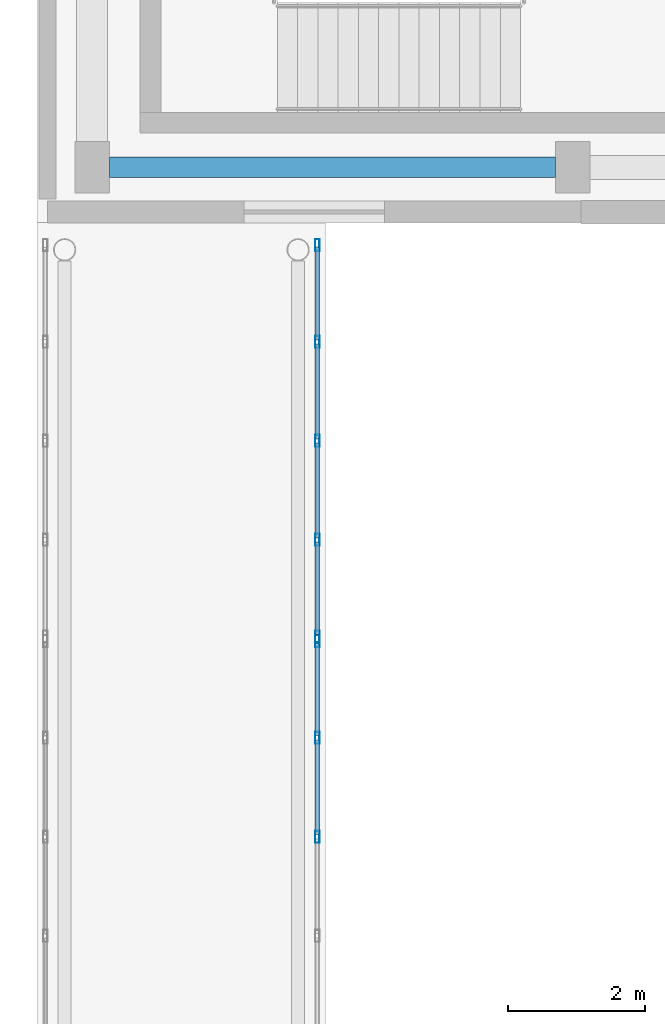
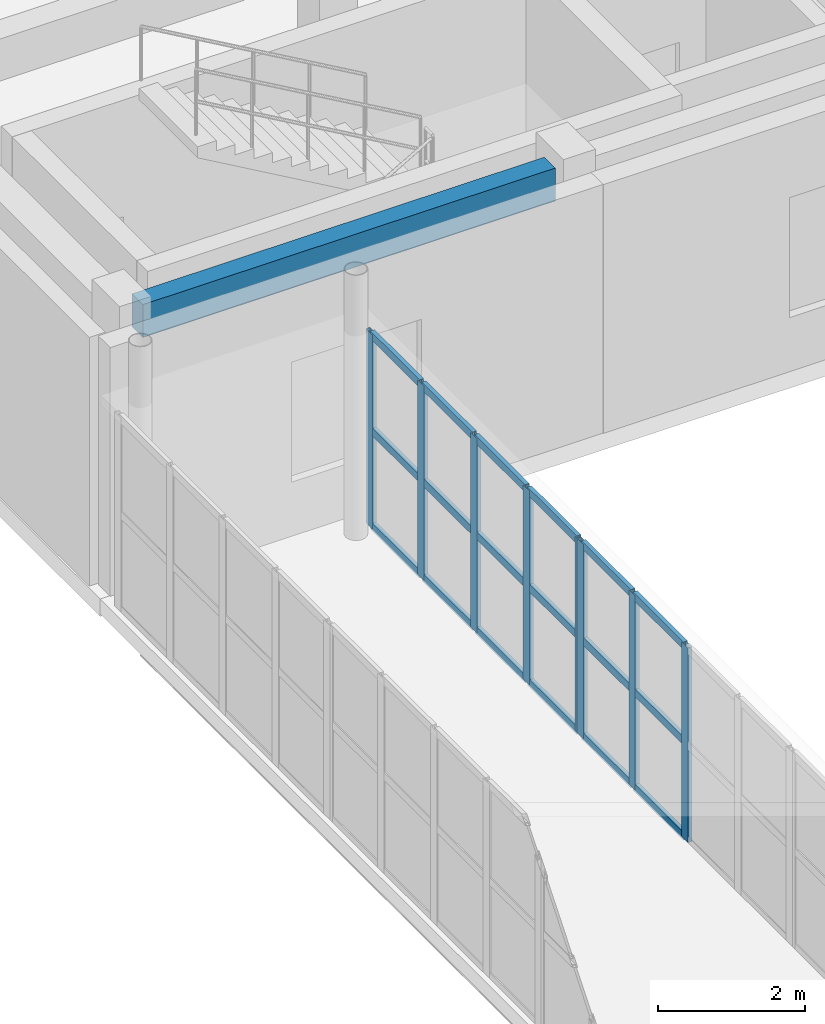
# One storey, part 66 of 142: 26 members, 1 beam, 2 elements without a shape of their own.
"""IFC4 building model written with IfcOpenShell, lengths in metres."""

from ifc_helpers import new_model, si_unit, direction, frame, origin, origin_2d, place, context, subcontext, project, spatial, rectangle, hollow_rectangle, extrude, material, layer, layer_set, material_profile, profile_set, type_object, element, aggregate, save


model = new_model("IFC4")

# Units and contexts
model_context = context("Model", 3, precision=1e-05, world=origin(), true_north=direction((0.0, 1.0)))
body_context = subcontext(model_context, "Body", "Model", "MODEL_VIEW")
ifc_project = project(units=[si_unit("LENGTHUNIT", "METRE"), si_unit("AREAUNIT", "SQUARE_METRE"), si_unit("VOLUMEUNIT", "CUBIC_METRE"), si_unit("PLANEANGLEUNIT", "RADIAN"), si_unit("MASSUNIT", "GRAM", prefix="KILO")], contexts=[model_context])

# Site, building, storey
site_placement = place(None, origin())
site = spatial("IfcSite", under=ifc_project, at=site_placement, CompositionType="ELEMENT")
building_placement = place(site_placement, origin())
building = spatial("IfcBuilding", under=site, at=building_placement, Name="Valcora Specialist Clinic", CompositionType="ELEMENT")
storey_placement = place(building_placement, frame((0.0, 0.0, 5.10009765625)))
storey = spatial("IfcBuildingStorey", under=building, at=storey_placement, Name="L01", CompositionType="ELEMENT", Elevation=5.10009765625)

# Beam
ifc_material_1 = material(Name="Concrete C40/50", Category="concrete")
ifc_material_profile_1 = material_profile(ifc_material_1, rectangle(XDim=0.300048828125, YDim=0.550048828125, at=origin_2d()), Name="RC-BM-300X550")
ifc_profile_set_1 = profile_set([ifc_material_profile_1], Name="Concrete C40/50")
beam_type = type_object("IfcBeamType", Name="TY-BM-RC300X550", PredefinedType="BEAM", material=ifc_profile_set_1)
beam_placement = place(storey_placement, frame((62.25, 74.800048828125, 3.869873046875), z_axis=(1.0, 0.0, 0.0), x_axis=(0.0, 1.0, 0.0)))
element("IfcBeam", 1, at=beam_placement, inside=storey, type_object=beam_type, Name="Beam BM-L01-0613", PredefinedType="BEAM", context=body_context, shape_type="SweptSolid", body=[
    extrude(rectangle(XDim=0.300048828125, YDim=0.550048828125, at=origin_2d()), origin(), (0.0, 0.0, 1.0), 6.5),
])

# Curtain wall, members
ifc_material_2 = material(Name="Anodized Bronze Aluminium 6063-T6", Category="aluminium")
ifc_layer = layer(ifc_material_2, 0.175048828125)
ifc_layer_set = layer_set([ifc_layer], Name="Anodized Bronze Aluminium 6063-T6")
curtain_wall_type = type_object("IfcCurtainWallType", Name="TY-CW-BRG14", PredefinedType="NOTDEFINED", material=ifc_layer_set)
curtain_wall_1_placement = place(storey_placement, origin())
curtain_wall_1 = element("IfcCurtainWall", 2, at=curtain_wall_1_placement, inside=storey, type_object=curtain_wall_type, Name="Curtain wall CW-L01-247", PredefinedType="NOTDEFINED")
ifc_material_profile_2 = material_profile(ifc_material_2, hollow_rectangle(XDim=0.06494140625, YDim=0.175048828125, WallThickness=0.00390625, at=origin_2d()), Name="AL-MUL-65X175")
ifc_profile_set_2 = profile_set([ifc_material_profile_2], Name="Anodized Bronze Aluminium 6063-T6")
member_type_1 = type_object("IfcMemberType", Name="TY-CWM-65X175", PredefinedType="MULLION", material=ifc_profile_set_2)
member_1_placement = place(storey_placement, frame((65.280029296875, 65.050048828125, 0.0), z_axis=(0.0, 0.0, 1.0), x_axis=(-1.0, 0.0, 0.0)))
member_1 = element("IfcMember", 3, at=member_1_placement, type_object=member_type_1, Name="CW-BRG-14 mullion 3", PredefinedType="MULLION", context=body_context, shape_type="SweptSolid", body=[
    extrude(hollow_rectangle(XDim=0.06494140625, YDim=0.175048828125, WallThickness=0.00390625, at=origin_2d()), origin(), (0.0, 0.0, 1.0), 3.239990234375),
])
member_2_placement = place(storey_placement, frame((65.280029296875, 66.49169921875, 0.0), z_axis=(0.0, 0.0, 1.0), x_axis=(-1.0, 0.0, 0.0)))
member_2 = element("IfcMember", 4, at=member_2_placement, type_object=member_type_1, Name="CW-BRG-14 mullion 4", PredefinedType="MULLION", context=body_context, shape_type="SweptSolid", body=[
    extrude(hollow_rectangle(XDim=0.06494140625, YDim=0.175048828125, WallThickness=0.00390625, at=origin_2d()), origin(), (0.0, 0.0, 1.0), 3.239990234375),
])
member_3_placement = place(storey_placement, frame((65.280029296875, 67.90087890625, 0.0), z_axis=(0.0, 0.0, 1.0), x_axis=(-1.0, 0.0, 0.0)))
member_3 = element("IfcMember", 5, at=member_3_placement, type_object=member_type_1, Name="CW-BRG-14 mullion 5", PredefinedType="MULLION", context=body_context, shape_type="SweptSolid", body=[
    extrude(hollow_rectangle(XDim=0.06494140625, YDim=0.175048828125, WallThickness=0.00390625, at=origin_2d()), origin(), (0.0, 0.0, 1.0), 3.239990234375),
])

curtain_wall_2_placement = place(storey_placement, origin())
curtain_wall_2 = element("IfcCurtainWall", 6, at=curtain_wall_2_placement, inside=storey, type_object=curtain_wall_type, Name="Curtain wall CW-L01-248", PredefinedType="NOTDEFINED")
member_4_placement = place(storey_placement, frame((65.280029296875, 67.9658203125, 0.0), z_axis=(0.0, 0.0, 1.0), x_axis=(-1.0, 0.0, 0.0)))
member_4 = element("IfcMember", 7, at=member_4_placement, type_object=member_type_1, Name="CW-BRG-14 mullion 1", PredefinedType="MULLION", context=body_context, shape_type="SweptSolid", body=[
    extrude(hollow_rectangle(XDim=0.06494140625, YDim=0.175048828125, WallThickness=0.00390625, at=origin_2d()), origin(), (0.0, 0.0, 1.0), 3.239990234375),
])
member_5_placement = place(storey_placement, frame((65.280029296875, 69.375, 0.0), z_axis=(0.0, 0.0, 1.0), x_axis=(-1.0, 0.0, 0.0)))
member_5 = element("IfcMember", 8, at=member_5_placement, type_object=member_type_1, Name="CW-BRG-14 mullion 2", PredefinedType="MULLION", context=body_context, shape_type="SweptSolid", body=[
    extrude(hollow_rectangle(XDim=0.06494140625, YDim=0.175048828125, WallThickness=0.00390625, at=origin_2d()), origin(), (0.0, 0.0, 1.0), 3.239990234375),
])
member_6_placement = place(storey_placement, frame((65.280029296875, 70.816650390625, 0.0), z_axis=(0.0, 0.0, 1.0), x_axis=(-1.0, 0.0, 0.0)))
member_6 = element("IfcMember", 9, at=member_6_placement, type_object=member_type_1, Name="CW-BRG-14 mullion 3", PredefinedType="MULLION", context=body_context, shape_type="SweptSolid", body=[
    extrude(hollow_rectangle(XDim=0.06494140625, YDim=0.175048828125, WallThickness=0.00390625, at=origin_2d()), origin(), (0.0, 0.0, 1.0), 3.239990234375),
])
member_7_placement = place(storey_placement, frame((65.280029296875, 72.25830078125, 0.0), z_axis=(0.0, 0.0, 1.0), x_axis=(-1.0, 0.0, 0.0)))
member_7 = element("IfcMember", 10, at=member_7_placement, type_object=member_type_1, Name="CW-BRG-14 mullion 4", PredefinedType="MULLION", context=body_context, shape_type="SweptSolid", body=[
    extrude(hollow_rectangle(XDim=0.06494140625, YDim=0.175048828125, WallThickness=0.00390625, at=origin_2d()), origin(), (0.0, 0.0, 1.0), 3.239990234375),
])
member_8_placement = place(storey_placement, frame((65.280029296875, 73.66748046875, 0.0), z_axis=(0.0, 0.0, 1.0), x_axis=(-1.0, 0.0, 0.0)))
member_8 = element("IfcMember", 11, at=member_8_placement, type_object=member_type_1, Name="CW-BRG-14 mullion 5", PredefinedType="MULLION", context=body_context, shape_type="SweptSolid", body=[
    extrude(hollow_rectangle(XDim=0.06494140625, YDim=0.175048828125, WallThickness=0.00390625, at=origin_2d()), origin(), (0.0, 0.0, 1.0), 3.239990234375),
])

# Member
ifc_material_profile_3 = material_profile(ifc_material_2, hollow_rectangle(XDim=0.06494140625, YDim=0.1298828125, WallThickness=0.00390625, at=origin_2d()), Name="AL-TRN-65X130")
ifc_profile_set_3 = profile_set([ifc_material_profile_3], Name="Anodized Bronze Aluminium 6063-T6")
member_type_2 = type_object("IfcMemberType", Name="TY-CWT-65X130", PredefinedType="USERDEFINED", material=ifc_profile_set_3)
member_9_placement = place(storey_placement, frame((65.280029296875, 65.08251953125, 0.032470703125), z_axis=(0.0, 1.0, 0.0), x_axis=(-1.0, 0.0, 0.0)))
member_9 = element("IfcMember", 12, at=member_9_placement, type_object=member_type_2, Name="CW-BRG-14 transom 3.1", ObjectType="TRANSOM", PredefinedType="USERDEFINED", context=body_context, shape_type="SweptSolid", body=[
    extrude(hollow_rectangle(XDim=0.06494140625, YDim=0.1298828125, WallThickness=0.00390625, at=origin_2d()), origin(), (0.0, 0.0, 1.0), 1.376708984375),
])

member_10_placement = place(storey_placement, frame((65.280029296875, 65.08251953125, 1.619873046875), z_axis=(0.0, 1.0, 0.0), x_axis=(-1.0, 0.0, 0.0)))
member_10 = element("IfcMember", 13, at=member_10_placement, type_object=member_type_2, Name="CW-BRG-14 transom 3.2", ObjectType="TRANSOM", PredefinedType="USERDEFINED", context=body_context, shape_type="SweptSolid", body=[
    extrude(hollow_rectangle(XDim=0.06494140625, YDim=0.1298828125, WallThickness=0.00390625, at=origin_2d()), origin(), (0.0, 0.0, 1.0), 1.376708984375),
])

member_11_placement = place(storey_placement, frame((65.280029296875, 65.08251953125, 3.20751953125), z_axis=(0.0, 1.0, 0.0), x_axis=(-1.0, 0.0, 0.0)))
member_11 = element("IfcMember", 14, at=member_11_placement, type_object=member_type_2, Name="CW-BRG-14 transom 3.3", ObjectType="TRANSOM", PredefinedType="USERDEFINED", context=body_context, shape_type="SweptSolid", body=[
    extrude(hollow_rectangle(XDim=0.06494140625, YDim=0.1298828125, WallThickness=0.00390625, at=origin_2d()), origin(), (0.0, 0.0, 1.0), 1.376708984375),
])

member_12_placement = place(storey_placement, frame((65.280029296875, 66.524169921875, 0.032470703125), z_axis=(0.0, 1.0, 0.0), x_axis=(-1.0, 0.0, 0.0)))
member_12 = element("IfcMember", 15, at=member_12_placement, type_object=member_type_2, Name="CW-BRG-14 transom 4.1", ObjectType="TRANSOM", PredefinedType="USERDEFINED", context=body_context, shape_type="SweptSolid", body=[
    extrude(hollow_rectangle(XDim=0.06494140625, YDim=0.1298828125, WallThickness=0.00390625, at=origin_2d()), origin(), (0.0, 0.0, 1.0), 1.34423828125),
])

member_13_placement = place(storey_placement, frame((65.280029296875, 66.524169921875, 1.619873046875), z_axis=(0.0, 1.0, 0.0), x_axis=(-1.0, 0.0, 0.0)))
member_13 = element("IfcMember", 16, at=member_13_placement, type_object=member_type_2, Name="CW-BRG-14 transom 4.2", ObjectType="TRANSOM", PredefinedType="USERDEFINED", context=body_context, shape_type="SweptSolid", body=[
    extrude(hollow_rectangle(XDim=0.06494140625, YDim=0.1298828125, WallThickness=0.00390625, at=origin_2d()), origin(), (0.0, 0.0, 1.0), 1.34423828125),
])

member_14_placement = place(storey_placement, frame((65.280029296875, 66.524169921875, 3.20751953125), z_axis=(0.0, 1.0, 0.0), x_axis=(-1.0, 0.0, 0.0)))
member_14 = element("IfcMember", 17, at=member_14_placement, type_object=member_type_2, Name="CW-BRG-14 transom 4.3", ObjectType="TRANSOM", PredefinedType="USERDEFINED", context=body_context, shape_type="SweptSolid", body=[
    extrude(hollow_rectangle(XDim=0.06494140625, YDim=0.1298828125, WallThickness=0.00390625, at=origin_2d()), origin(), (0.0, 0.0, 1.0), 1.34423828125),
])

aggregate(curtain_wall_1, [member_1, member_2, member_3, member_9, member_10, member_11, member_12, member_13, member_14])

member_15_placement = place(storey_placement, frame((65.280029296875, 67.998291015625, 0.032470703125), z_axis=(0.0, 1.0, 0.0), x_axis=(-1.0, 0.0, 0.0)))
member_15 = element("IfcMember", 18, at=member_15_placement, type_object=member_type_2, Name="CW-BRG-14 transom 1.1", ObjectType="TRANSOM", PredefinedType="USERDEFINED", context=body_context, shape_type="SweptSolid", body=[
    extrude(hollow_rectangle(XDim=0.06494140625, YDim=0.1298828125, WallThickness=0.00390625, at=origin_2d()), origin(), (0.0, 0.0, 1.0), 1.34423828125),
])

member_16_placement = place(storey_placement, frame((65.280029296875, 67.998291015625, 1.619873046875), z_axis=(0.0, 1.0, 0.0), x_axis=(-1.0, 0.0, 0.0)))
member_16 = element("IfcMember", 19, at=member_16_placement, type_object=member_type_2, Name="CW-BRG-14 transom 1.2", ObjectType="TRANSOM", PredefinedType="USERDEFINED", context=body_context, shape_type="SweptSolid", body=[
    extrude(hollow_rectangle(XDim=0.06494140625, YDim=0.1298828125, WallThickness=0.00390625, at=origin_2d()), origin(), (0.0, 0.0, 1.0), 1.34423828125),
])

member_17_placement = place(storey_placement, frame((65.280029296875, 67.998291015625, 3.20751953125), z_axis=(0.0, 1.0, 0.0), x_axis=(-1.0, 0.0, 0.0)))
member_17 = element("IfcMember", 20, at=member_17_placement, type_object=member_type_2, Name="CW-BRG-14 transom 1.3", ObjectType="TRANSOM", PredefinedType="USERDEFINED", context=body_context, shape_type="SweptSolid", body=[
    extrude(hollow_rectangle(XDim=0.06494140625, YDim=0.1298828125, WallThickness=0.00390625, at=origin_2d()), origin(), (0.0, 0.0, 1.0), 1.34423828125),
])

member_18_placement = place(storey_placement, frame((65.280029296875, 69.407470703125, 0.032470703125), z_axis=(0.0, 1.0, 0.0), x_axis=(-1.0, 0.0, 0.0)))
member_18 = element("IfcMember", 21, at=member_18_placement, type_object=member_type_2, Name="CW-BRG-14 transom 2.1", ObjectType="TRANSOM", PredefinedType="USERDEFINED", context=body_context, shape_type="SweptSolid", body=[
    extrude(hollow_rectangle(XDim=0.06494140625, YDim=0.1298828125, WallThickness=0.00390625, at=origin_2d()), origin(), (0.0, 0.0, 1.0), 1.376708984375),
])

member_19_placement = place(storey_placement, frame((65.280029296875, 69.407470703125, 1.619873046875), z_axis=(0.0, 1.0, 0.0), x_axis=(-1.0, 0.0, 0.0)))
member_19 = element("IfcMember", 22, at=member_19_placement, type_object=member_type_2, Name="CW-BRG-14 transom 2.2", ObjectType="TRANSOM", PredefinedType="USERDEFINED", context=body_context, shape_type="SweptSolid", body=[
    extrude(hollow_rectangle(XDim=0.06494140625, YDim=0.1298828125, WallThickness=0.00390625, at=origin_2d()), origin(), (0.0, 0.0, 1.0), 1.376708984375),
])

member_20_placement = place(storey_placement, frame((65.280029296875, 69.407470703125, 3.20751953125), z_axis=(0.0, 1.0, 0.0), x_axis=(-1.0, 0.0, 0.0)))
member_20 = element("IfcMember", 23, at=member_20_placement, type_object=member_type_2, Name="CW-BRG-14 transom 2.3", ObjectType="TRANSOM", PredefinedType="USERDEFINED", context=body_context, shape_type="SweptSolid", body=[
    extrude(hollow_rectangle(XDim=0.06494140625, YDim=0.1298828125, WallThickness=0.00390625, at=origin_2d()), origin(), (0.0, 0.0, 1.0), 1.376708984375),
])

member_21_placement = place(storey_placement, frame((65.280029296875, 70.84912109375, 0.032470703125), z_axis=(0.0, 1.0, 0.0), x_axis=(-1.0, 0.0, 0.0)))
member_21 = element("IfcMember", 24, at=member_21_placement, type_object=member_type_2, Name="CW-BRG-14 transom 3.1", ObjectType="TRANSOM", PredefinedType="USERDEFINED", context=body_context, shape_type="SweptSolid", body=[
    extrude(hollow_rectangle(XDim=0.06494140625, YDim=0.1298828125, WallThickness=0.00390625, at=origin_2d()), origin(), (0.0, 0.0, 1.0), 1.376708984375),
])

member_22_placement = place(storey_placement, frame((65.280029296875, 70.84912109375, 1.619873046875), z_axis=(0.0, 1.0, 0.0), x_axis=(-1.0, 0.0, 0.0)))
member_22 = element("IfcMember", 25, at=member_22_placement, type_object=member_type_2, Name="CW-BRG-14 transom 3.2", ObjectType="TRANSOM", PredefinedType="USERDEFINED", context=body_context, shape_type="SweptSolid", body=[
    extrude(hollow_rectangle(XDim=0.06494140625, YDim=0.1298828125, WallThickness=0.00390625, at=origin_2d()), origin(), (0.0, 0.0, 1.0), 1.376708984375),
])

member_23_placement = place(storey_placement, frame((65.280029296875, 70.84912109375, 3.20751953125), z_axis=(0.0, 1.0, 0.0), x_axis=(-1.0, 0.0, 0.0)))
member_23 = element("IfcMember", 26, at=member_23_placement, type_object=member_type_2, Name="CW-BRG-14 transom 3.3", ObjectType="TRANSOM", PredefinedType="USERDEFINED", context=body_context, shape_type="SweptSolid", body=[
    extrude(hollow_rectangle(XDim=0.06494140625, YDim=0.1298828125, WallThickness=0.00390625, at=origin_2d()), origin(), (0.0, 0.0, 1.0), 1.376708984375),
])

member_24_placement = place(storey_placement, frame((65.280029296875, 72.290771484375, 0.032470703125), z_axis=(0.0, 1.0, 0.0), x_axis=(-1.0, 0.0, 0.0)))
member_24 = element("IfcMember", 27, at=member_24_placement, type_object=member_type_2, Name="CW-BRG-14 transom 4.1", ObjectType="TRANSOM", PredefinedType="USERDEFINED", context=body_context, shape_type="SweptSolid", body=[
    extrude(hollow_rectangle(XDim=0.06494140625, YDim=0.1298828125, WallThickness=0.00390625, at=origin_2d()), origin(), (0.0, 0.0, 1.0), 1.34423828125),
])

member_25_placement = place(storey_placement, frame((65.280029296875, 72.290771484375, 1.619873046875), z_axis=(0.0, 1.0, 0.0), x_axis=(-1.0, 0.0, 0.0)))
member_25 = element("IfcMember", 28, at=member_25_placement, type_object=member_type_2, Name="CW-BRG-14 transom 4.2", ObjectType="TRANSOM", PredefinedType="USERDEFINED", context=body_context, shape_type="SweptSolid", body=[
    extrude(hollow_rectangle(XDim=0.06494140625, YDim=0.1298828125, WallThickness=0.00390625, at=origin_2d()), origin(), (0.0, 0.0, 1.0), 1.34423828125),
])

member_26_placement = place(storey_placement, frame((65.280029296875, 72.290771484375, 3.20751953125), z_axis=(0.0, 1.0, 0.0), x_axis=(-1.0, 0.0, 0.0)))
member_26 = element("IfcMember", 29, at=member_26_placement, type_object=member_type_2, Name="CW-BRG-14 transom 4.3", ObjectType="TRANSOM", PredefinedType="USERDEFINED", context=body_context, shape_type="SweptSolid", body=[
    extrude(hollow_rectangle(XDim=0.06494140625, YDim=0.1298828125, WallThickness=0.00390625, at=origin_2d()), origin(), (0.0, 0.0, 1.0), 1.34423828125),
])

aggregate(curtain_wall_2, [member_4, member_5, member_6, member_7, member_8, member_15, member_16, member_17, member_18, member_19, member_20, member_21, member_22, member_23, member_24, member_25, member_26])

save(model, "model.ifc")
